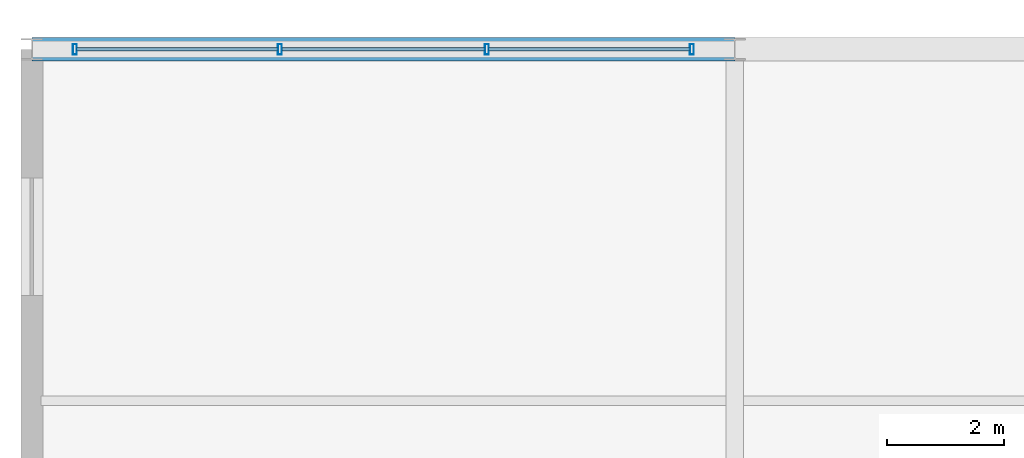
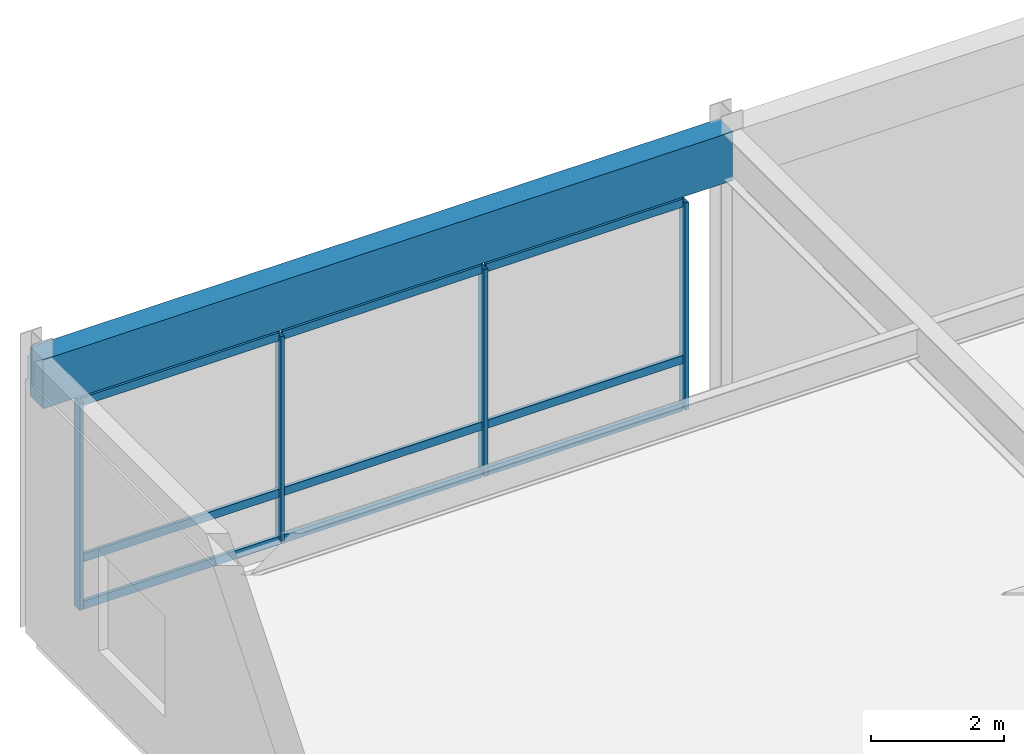
# One storey, part 34 of 100: 13 members, 1 beam, 1 element without a shape of its own.
"""IFC4 building model written with IfcOpenShell, lengths in metres."""

from ifc_helpers import new_model, si_unit, direction, frame, origin, origin_2d, place, context, subcontext, project, spatial, rectangle, hollow_rectangle, extrude, material, material_profile, profile_set, type_object, element, aggregate, save


model = new_model("IFC4")

# Units and contexts
model_context = context("Model", 3, precision=1e-05, world=origin(), true_north=direction((0.0, 1.0)))
body_context = subcontext(model_context, "Body", "Model", "MODEL_VIEW")
ifc_project = project(units=[si_unit("LENGTHUNIT", "METRE"), si_unit("AREAUNIT", "SQUARE_METRE"), si_unit("VOLUMEUNIT", "CUBIC_METRE"), si_unit("PLANEANGLEUNIT", "RADIAN"), si_unit("MASSUNIT", "GRAM", prefix="KILO")], contexts=[model_context])

# Site, building, storey
site_placement = place(None, origin())
site = spatial("IfcSite", under=ifc_project, at=site_placement, CompositionType="ELEMENT")
building_placement = place(site_placement, origin())
building = spatial("IfcBuilding", under=site, at=building_placement, Name="Kaldorvane Square Convention Centre", CompositionType="ELEMENT")
storey_placement = place(building_placement, frame((0.0, 0.0, 18.0)))
storey = spatial("IfcBuildingStorey", under=building, at=storey_placement, Name="L03", CompositionType="ELEMENT", Elevation=18.0)

# Beam
ifc_material_1 = material(Name="Concrete f'c = 42 MPa (Normalweight)", Category="concrete")
ifc_material_profile_1 = material_profile(ifc_material_1, rectangle(XDim=0.399993896484375, YDim=0.899993896484375, at=origin_2d()), Name="RCSP900X400")
ifc_profile_set_1 = profile_set([ifc_material_profile_1], Name="Concrete f'c = 42 MPa (Normalweight)")
beam_type = type_object("IfcBeamType", Name="BM-SP-RC900", PredefinedType="SPANDREL", material=ifc_profile_set_1)
beam_placement = place(storey_placement, frame((0.0, 117.0, 4.626007080078125), z_axis=(1.0, 0.0, 0.0), x_axis=(0.0, 1.0, 0.0)))
element("IfcBeam", 1, at=beam_placement, inside=storey, type_object=beam_type, Name="Perimeter Spandrel (L03)", PredefinedType="SPANDREL", context=body_context, shape_type="SweptSolid", body=[
    extrude(rectangle(XDim=0.399993896484375, YDim=0.899993896484375, at=origin_2d()), origin(), (0.0, 0.0, 1.0), 12.0),
])

# Curtain wall, members
ifc_material_2 = material(Name="Anodized Aluminum and Low-E Insulated Glazing", Category="aluminium")
curtain_wall_type = type_object("IfcCurtainWallType", Name="CW-UNI-P54-09", PredefinedType="USERDEFINED", material=ifc_material_2)
curtain_wall_placement = place(storey_placement, origin())
curtain_wall = element("IfcCurtainWall", 2, at=curtain_wall_placement, inside=storey, type_object=curtain_wall_type, Name="Curtain Wall CW-04 (L03)", ObjectType="UNITISED GLAZING", PredefinedType="USERDEFINED")
ifc_material_profile_2 = material_profile(ifc_material_2, hollow_rectangle(XDim=0.06500244140625, YDim=0.17999267578125, WallThickness=0.0034942626953125, at=origin_2d()), Name="CWM-180X65")
ifc_profile_set_2 = profile_set([ifc_material_profile_2], Name="Anodized Aluminum and Low-E Insulated Glazing")
member_type_1 = type_object("IfcMemberType", Name="CW-MUL-180", PredefinedType="MULLION", material=ifc_profile_set_2)
member_1_placement = place(storey_placement, frame((11.267501831054688, 117.0, 0.149993896484375), z_axis=(0.0, 0.0, 1.0), x_axis=(-1.0, 0.0, 0.0)))
member_1 = element("IfcMember", 3, at=member_1_placement, type_object=member_type_1, Name="CW-04 mullion 1", PredefinedType="MULLION", context=body_context, shape_type="SweptSolid", body=[
    extrude(hollow_rectangle(XDim=0.06500244140625, YDim=0.17999267578125, WallThickness=0.0034942626953125, at=origin_2d()), origin(), (0.0, 0.0, 1.0), 3.8100128173828125),
])
member_2_placement = place(storey_placement, frame((7.76666259765625, 117.0, 0.149993896484375), z_axis=(0.0, 0.0, 1.0), x_axis=(-1.0, 0.0, 0.0)))
member_2 = element("IfcMember", 4, at=member_2_placement, type_object=member_type_1, Name="CW-04 mullion 2", PredefinedType="MULLION", context=body_context, shape_type="SweptSolid", body=[
    extrude(hollow_rectangle(XDim=0.06500244140625, YDim=0.17999267578125, WallThickness=0.0034942626953125, at=origin_2d()), origin(), (0.0, 0.0, 1.0), 3.8100128173828125),
])
member_3_placement = place(storey_placement, frame((4.23333740234375, 117.0, 0.149993896484375), z_axis=(0.0, 0.0, 1.0), x_axis=(-1.0, 0.0, 0.0)))
member_3 = element("IfcMember", 5, at=member_3_placement, type_object=member_type_1, Name="CW-04 mullion 3", PredefinedType="MULLION", context=body_context, shape_type="SweptSolid", body=[
    extrude(hollow_rectangle(XDim=0.06500244140625, YDim=0.17999267578125, WallThickness=0.0034942626953125, at=origin_2d()), origin(), (0.0, 0.0, 1.0), 3.8100128173828125),
])
member_4_placement = place(storey_placement, frame((0.7324981689453125, 117.0, 0.149993896484375), z_axis=(0.0, 0.0, 1.0), x_axis=(-1.0, 0.0, 0.0)))
member_4 = element("IfcMember", 6, at=member_4_placement, type_object=member_type_1, Name="CW-04 mullion 4", PredefinedType="MULLION", context=body_context, shape_type="SweptSolid", body=[
    extrude(hollow_rectangle(XDim=0.06500244140625, YDim=0.17999267578125, WallThickness=0.0034942626953125, at=origin_2d()), origin(), (0.0, 0.0, 1.0), 3.8100128173828125),
])
ifc_material_profile_3 = material_profile(ifc_material_2, hollow_rectangle(XDim=0.05999755859375, YDim=0.149993896484375, WallThickness=0.003204345703125, at=origin_2d()), Name="CWT-150X60")
ifc_profile_set_3 = profile_set([ifc_material_profile_3], Name="Anodized Aluminum and Low-E Insulated Glazing")
member_type_2 = type_object("IfcMemberType", Name="CW-TRN-150", PredefinedType="USERDEFINED", material=ifc_profile_set_3)
member_5_placement = place(storey_placement, frame((11.235000610351562, 117.0, 0.17999267578125), z_axis=(-1.0, 0.0, 0.0), x_axis=(0.0, -1.0, 0.0)))
member_5 = element("IfcMember", 7, at=member_5_placement, type_object=member_type_2, Name="CW-04 transom 1.1", ObjectType="TRANSOM", PredefinedType="USERDEFINED", context=body_context, shape_type="SweptSolid", body=[
    extrude(hollow_rectangle(XDim=0.05999755859375, YDim=0.149993896484375, WallThickness=0.003204345703125, at=origin_2d()), origin(), (0.0, 0.0, 1.0), 3.4358367919921875),
])
member_6_placement = place(storey_placement, frame((11.235000610351562, 117.0, 1.0500030517578125), z_axis=(-1.0, 0.0, 0.0), x_axis=(0.0, -1.0, 0.0)))
member_6 = element("IfcMember", 8, at=member_6_placement, type_object=member_type_2, Name="CW-04 transom 1.2", ObjectType="TRANSOM", PredefinedType="USERDEFINED", context=body_context, shape_type="SweptSolid", body=[
    extrude(hollow_rectangle(XDim=0.05999755859375, YDim=0.149993896484375, WallThickness=0.003204345703125, at=origin_2d()), origin(), (0.0, 0.0, 1.0), 3.4358367919921875),
])
member_7_placement = place(storey_placement, frame((11.235000610351562, 117.0, 3.92999267578125), z_axis=(-1.0, 0.0, 0.0), x_axis=(0.0, -1.0, 0.0)))
member_7 = element("IfcMember", 9, at=member_7_placement, type_object=member_type_2, Name="CW-04 transom 1.3", ObjectType="TRANSOM", PredefinedType="USERDEFINED", context=body_context, shape_type="SweptSolid", body=[
    extrude(hollow_rectangle(XDim=0.05999755859375, YDim=0.149993896484375, WallThickness=0.003204345703125, at=origin_2d()), origin(), (0.0, 0.0, 1.0), 3.4358367919921875),
])
member_8_placement = place(storey_placement, frame((7.734161376953125, 117.0, 0.17999267578125), z_axis=(-1.0, 0.0, 0.0), x_axis=(0.0, -1.0, 0.0)))
member_8 = element("IfcMember", 10, at=member_8_placement, type_object=member_type_2, Name="CW-04 transom 2.1", ObjectType="TRANSOM", PredefinedType="USERDEFINED", context=body_context, shape_type="SweptSolid", body=[
    extrude(hollow_rectangle(XDim=0.05999755859375, YDim=0.149993896484375, WallThickness=0.003204345703125, at=origin_2d()), origin(), (0.0, 0.0, 1.0), 3.46832275390625),
])
member_9_placement = place(storey_placement, frame((7.734161376953125, 117.0, 1.0500030517578125), z_axis=(-1.0, 0.0, 0.0), x_axis=(0.0, -1.0, 0.0)))
member_9 = element("IfcMember", 11, at=member_9_placement, type_object=member_type_2, Name="CW-04 transom 2.2", ObjectType="TRANSOM", PredefinedType="USERDEFINED", context=body_context, shape_type="SweptSolid", body=[
    extrude(hollow_rectangle(XDim=0.05999755859375, YDim=0.149993896484375, WallThickness=0.003204345703125, at=origin_2d()), origin(), (0.0, 0.0, 1.0), 3.46832275390625),
])
member_10_placement = place(storey_placement, frame((7.734161376953125, 117.0, 3.92999267578125), z_axis=(-1.0, 0.0, 0.0), x_axis=(0.0, -1.0, 0.0)))
member_10 = element("IfcMember", 12, at=member_10_placement, type_object=member_type_2, Name="CW-04 transom 2.3", ObjectType="TRANSOM", PredefinedType="USERDEFINED", context=body_context, shape_type="SweptSolid", body=[
    extrude(hollow_rectangle(XDim=0.05999755859375, YDim=0.149993896484375, WallThickness=0.003204345703125, at=origin_2d()), origin(), (0.0, 0.0, 1.0), 3.46832275390625),
])
member_11_placement = place(storey_placement, frame((4.200836181640625, 117.0, 0.17999267578125), z_axis=(-1.0, 0.0, 0.0), x_axis=(0.0, -1.0, 0.0)))
member_11 = element("IfcMember", 13, at=member_11_placement, type_object=member_type_2, Name="CW-04 transom 3.1", ObjectType="TRANSOM", PredefinedType="USERDEFINED", context=body_context, shape_type="SweptSolid", body=[
    extrude(hollow_rectangle(XDim=0.05999755859375, YDim=0.149993896484375, WallThickness=0.003204345703125, at=origin_2d()), origin(), (0.0, 0.0, 1.0), 3.4358367919921875),
])
member_12_placement = place(storey_placement, frame((4.200836181640625, 117.0, 1.0500030517578125), z_axis=(-1.0, 0.0, 0.0), x_axis=(0.0, -1.0, 0.0)))
member_12 = element("IfcMember", 14, at=member_12_placement, type_object=member_type_2, Name="CW-04 transom 3.2", ObjectType="TRANSOM", PredefinedType="USERDEFINED", context=body_context, shape_type="SweptSolid", body=[
    extrude(hollow_rectangle(XDim=0.05999755859375, YDim=0.149993896484375, WallThickness=0.003204345703125, at=origin_2d()), origin(), (0.0, 0.0, 1.0), 3.4358367919921875),
])
member_13_placement = place(storey_placement, frame((4.200836181640625, 117.0, 3.92999267578125), z_axis=(-1.0, 0.0, 0.0), x_axis=(0.0, -1.0, 0.0)))
member_13 = element("IfcMember", 15, at=member_13_placement, type_object=member_type_2, Name="CW-04 transom 3.3", ObjectType="TRANSOM", PredefinedType="USERDEFINED", context=body_context, shape_type="SweptSolid", body=[
    extrude(hollow_rectangle(XDim=0.05999755859375, YDim=0.149993896484375, WallThickness=0.003204345703125, at=origin_2d()), origin(), (0.0, 0.0, 1.0), 3.4358367919921875),
])
aggregate(curtain_wall, [member_1, member_2, member_3, member_4, member_5, member_6, member_7, member_8, member_9, member_10, member_11, member_12, member_13])

save(model, "model.ifc")
